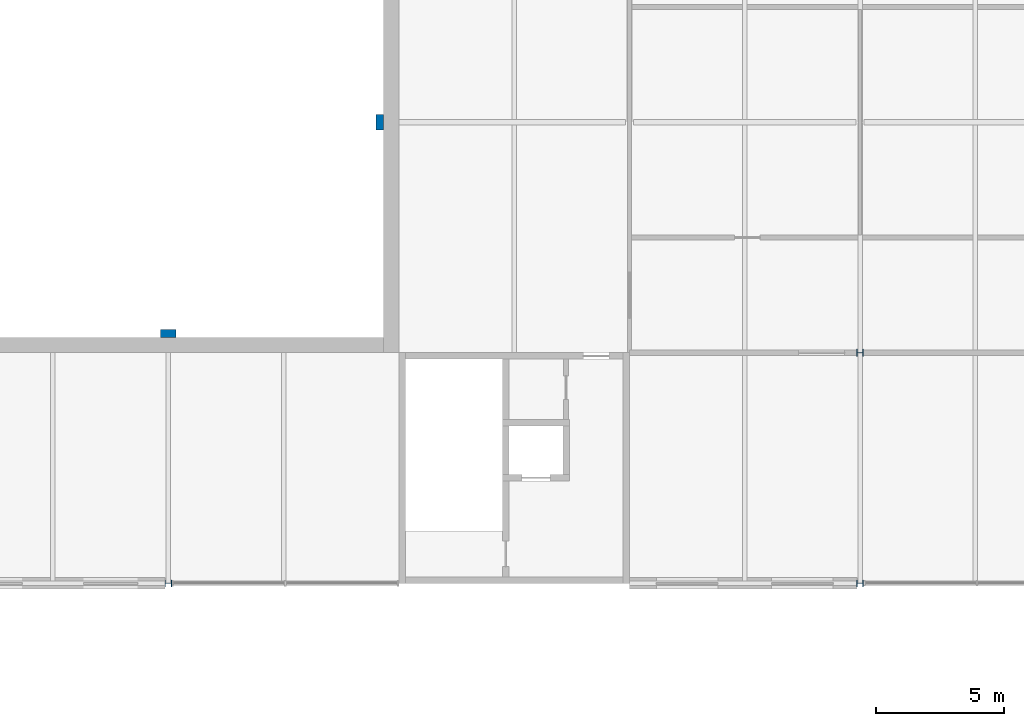
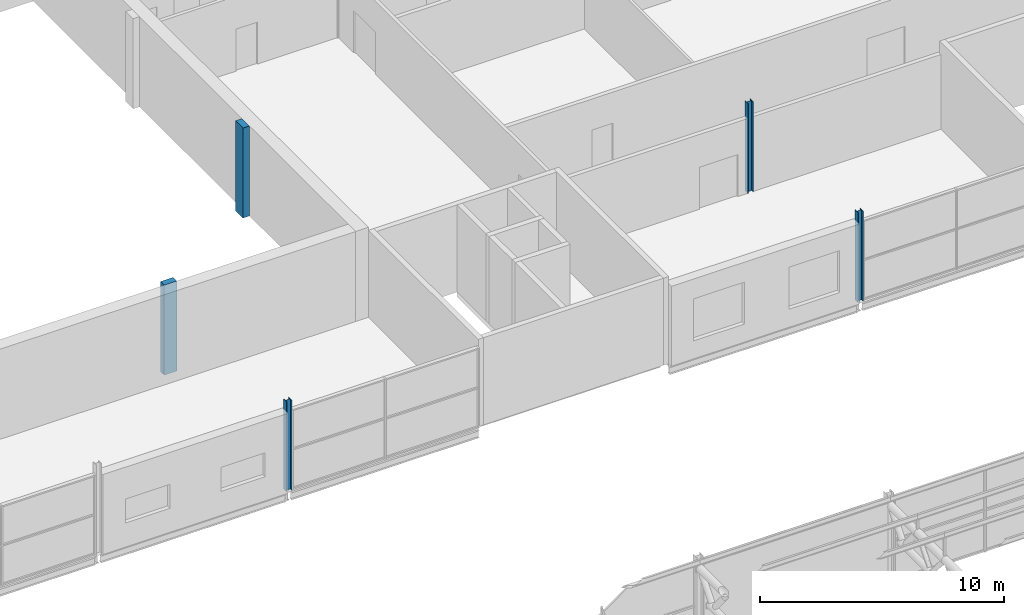
# One storey, part 22 of 138: 5 columns.
"""IFC4 building model written with IfcOpenShell, lengths in metres."""

from ifc_helpers import new_model, si_unit, direction, frame, origin, origin_2d, place, context, subcontext, project, spatial, rectangle, i_section, extrude, material, material_profile, profile_set, type_object, element, save


model = new_model("IFC4")

# Units and contexts
model_context = context("Model", 3, precision=1e-05, world=origin(), true_north=direction((0.0, 1.0)))
body_context = subcontext(model_context, "Body", "Model", "MODEL_VIEW")
ifc_project = project(units=[si_unit("LENGTHUNIT", "METRE"), si_unit("AREAUNIT", "SQUARE_METRE"), si_unit("VOLUMEUNIT", "CUBIC_METRE"), si_unit("PLANEANGLEUNIT", "RADIAN"), si_unit("MASSUNIT", "GRAM", prefix="KILO")], contexts=[model_context])

# Site, building, storey
site_placement = place(None, origin())
site = spatial("IfcSite", under=ifc_project, at=site_placement, CompositionType="ELEMENT")
building_placement = place(site_placement, origin())
building = spatial("IfcBuilding", under=site, at=building_placement, Name="Corbel Yard City Hall", CompositionType="ELEMENT")
storey_placement = place(building_placement, frame((0.0, 0.0, 10.5)))
storey = spatial("IfcBuildingStorey", under=building, at=storey_placement, Name="L02", CompositionType="ELEMENT", Elevation=10.5)

# Columns
ifc_material_1 = material(Name="Concrete N50 (50 MPa)", Category="concrete")
ifc_material_profile_1 = material_profile(ifc_material_1, rectangle(XDim=0.60009765625, YDim=0.300048828125, at=origin_2d()), Name="600x300")
ifc_profile_set_1 = profile_set([ifc_material_profile_1], Name="Concrete N50 (50 MPa)")
column_type_1 = type_object("IfcColumnType", Name="Chamber pilaster RC 600X300", PredefinedType="PILASTER", material=ifc_profile_set_1)
for number, where, z_axis, x_axis, name in (
    (1, (135.0, 54.75, 0.0), (0.0, 0.0, 1.0), (1.0, 0.0, 0.0), "Chamber pilaster RC 600X300 RC2 L02"),
    (2, (143.25, 63.0, 0.0), (0.0, 0.0, 1.0), (0.0, 1.0, 0.0), "Chamber pilaster RC 600X300 RC2 L02"),
):
    element("IfcColumn", number, at=place(storey_placement, frame(where, z_axis=z_axis, x_axis=x_axis)), inside=storey, type_object=column_type_1, Name=name, PredefinedType="PILASTER", context=body_context, shape_type="SweptSolid", body=[
        extrude(rectangle(XDim=0.60009765625, YDim=0.300048828125, at=origin_2d()), origin(), (0.0, 0.0, 1.0), 4.5),
    ])
ifc_material_2 = material(Name="Steel Grade 300 (300 MPa yield)", Category="steel")
ifc_material_profile_2 = material_profile(ifc_material_2, i_section(OverallWidth=0.25390625, OverallDepth=0.25390625, WebThickness=0.008544921875, FlangeThickness=0.01416015625, at=origin_2d()), Name="250UC72.9")
ifc_profile_set_2 = profile_set([ifc_material_profile_2], Name="Steel Grade 300 (300 MPa yield)")
column_type_2 = type_object("IfcColumnType", Name="Column 250UC72.9", PredefinedType="COLUMN", material=ifc_profile_set_2)
for number, where, z_axis, x_axis, name in (
    (3, (135.0, 45.0, 0.0), (0.0, 0.0, 1.0), (0.0, 1.0, 0.0), "Column 250UC72.9 F/16 L02"),
    (4, (162.0, 45.0, 0.0), (0.0, 0.0, 1.0), (0.0, 1.0, 0.0), "Column 250UC72.9 F/19 L02"),
):
    element("IfcColumn", number, at=place(storey_placement, frame(where, z_axis=z_axis, x_axis=x_axis)), inside=storey, type_object=column_type_2, Name=name, PredefinedType="COLUMN", context=body_context, shape_type="SweptSolid", body=[
        extrude(i_section(OverallWidth=0.25390625, OverallDepth=0.25390625, WebThickness=0.008544921875, FlangeThickness=0.01416015625, at=origin_2d()), origin(), (0.0, 0.0, 1.0), 4.5),
    ])
ifc_material_profile_3 = material_profile(ifc_material_2, i_section(OverallWidth=0.256103515625, OverallDepth=0.260009765625, WebThickness=0.010498046875, FlangeThickness=0.017333984375, at=origin_2d()), Name="250UC89.5")
ifc_profile_set_3 = profile_set([ifc_material_profile_3], Name="Steel Grade 300 (300 MPa yield)")
column_type_3 = type_object("IfcColumnType", Name="Column 250UC89.5", PredefinedType="COLUMN", material=ifc_profile_set_3)
column_placement = place(storey_placement, frame((162.0, 54.0, 0.0), z_axis=(0.0, 0.0, 1.0), x_axis=(0.0, 1.0, 0.0)))
element("IfcColumn", 5, at=column_placement, inside=storey, type_object=column_type_3, Name="Column 250UC89.5 G/19 L02", PredefinedType="COLUMN", context=body_context, shape_type="SweptSolid", body=[
    extrude(i_section(OverallWidth=0.256103515625, OverallDepth=0.260009765625, WebThickness=0.010498046875, FlangeThickness=0.017333984375, at=origin_2d()), origin(), (0.0, 0.0, 1.0), 4.5),
])

save(model, "model.ifc")
